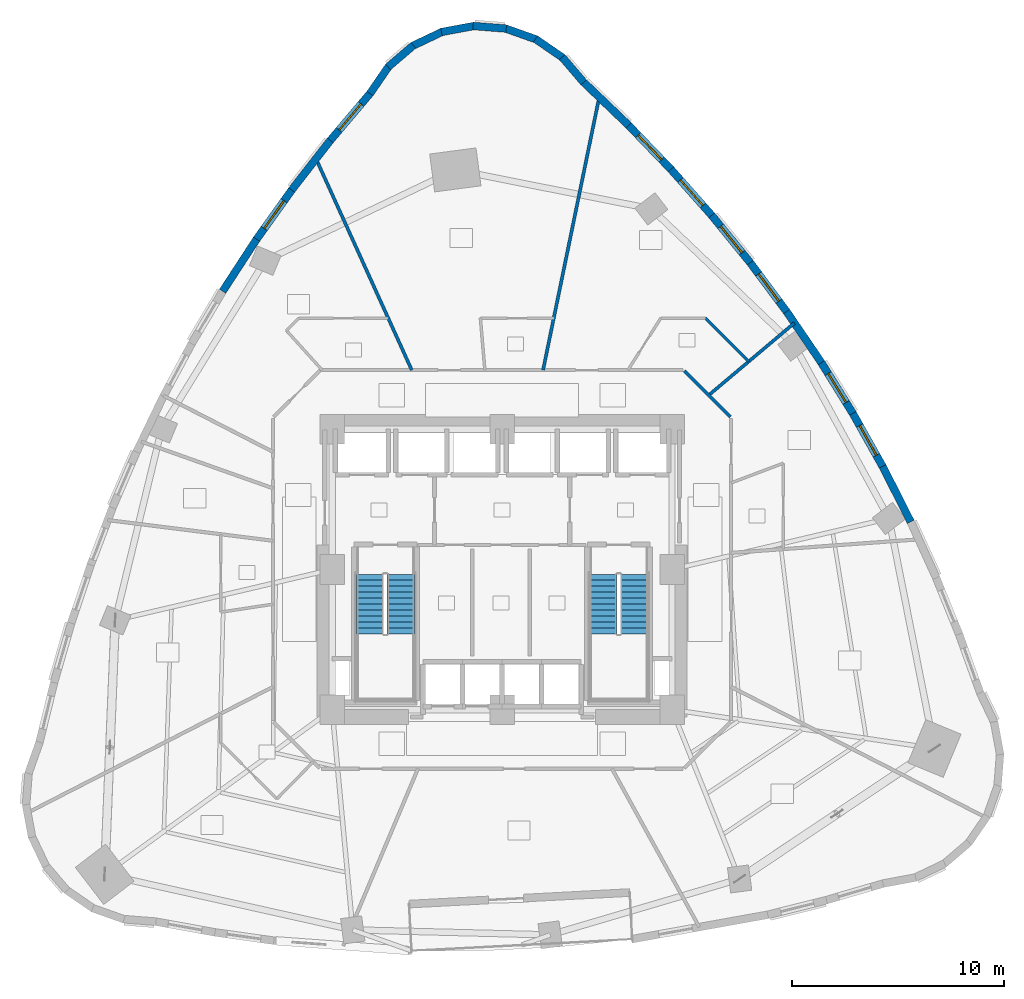
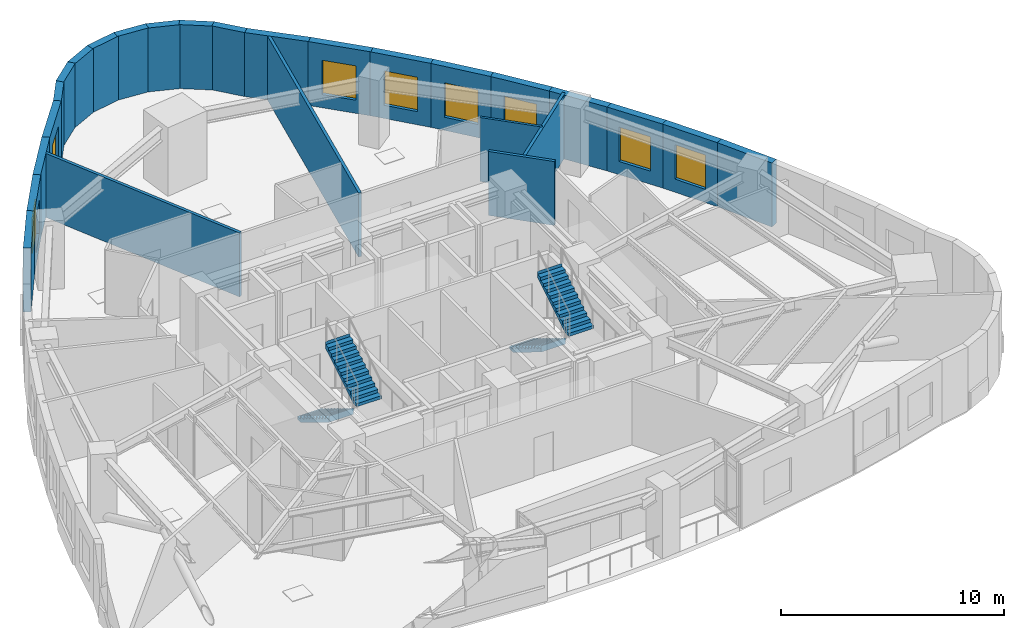
# One storey, part 8 of 11: 26 walls, 8 windows, 4 stair flights, 8 openings, 2 elements without a shape of their own.
"""IFC4 building model written with IfcOpenShell, lengths in metres."""

from ifc_helpers import new_model, si_unit, direction, frame, frame_2d, origin, place, context, subcontext, project, spatial, polyline, rectangle, outline, extrude, material, layer, layer_set, type_object, element, fill, aggregate, save


model = new_model("IFC4")

# Units and contexts
model_context = context("Model", 3, precision=1e-05, world=origin(), true_north=direction((0.0, 1.0)))
body_context = subcontext(model_context, "Body", "Model", "MODEL_VIEW")
ifc_project = project(units=[si_unit("LENGTHUNIT", "METRE"), si_unit("AREAUNIT", "SQUARE_METRE"), si_unit("VOLUMEUNIT", "CUBIC_METRE"), si_unit("PLANEANGLEUNIT", "RADIAN"), si_unit("MASSUNIT", "GRAM", prefix="KILO")], contexts=[model_context])

# Site, building, storey
site_placement = place(None, origin())
site = spatial("IfcSite", under=ifc_project, at=site_placement, CompositionType="ELEMENT")
building_placement = place(site_placement, origin())
building = spatial("IfcBuilding", under=site, at=building_placement, Name="Ndelora Gate Hotel", CompositionType="ELEMENT")
storey_placement = place(building_placement, frame((0.0, 0.0, 49.25)))
storey = spatial("IfcBuildingStorey", under=building, at=storey_placement, Name="L11", CompositionType="ELEMENT", Elevation=49.25)

# Walls
ifc_material_1 = material(Name="Clay Brick Masonry", Category="masonry")
ifc_layer_1 = layer(ifc_material_1, 0.360107421875)
ifc_layer_set_1 = layer_set([ifc_layer_1], Name="Clay Brick Masonry")
wall_type_1 = type_object("IfcWallType", Name="WL-BRICK-360", PredefinedType="SOLIDWALL", material=ifc_layer_set_1)
wall_1_placement = place(storey_placement, frame((2.828125, 24.10986328125, 0.0), z_axis=(0.0, 0.0, 1.0), x_axis=(0.649427555808, -0.76042346739, 0.0)))
element("IfcWall", 1, at=wall_1_placement, inside=storey, type_object=wall_type_1, Name="L11 Tower Brick Pier-and-Spandrel Wall TWR-1", PredefinedType="SOLIDWALL", context=body_context, shape_type="SweptSolid", body=[
    extrude(rectangle(XDim=1.56396484375, YDim=0.360107421875, at=frame_2d((0.781982421875, 0.0))), origin(), (0.0, 0.0, 1.0), 3.5),
])
wall_2_placement = place(storey_placement, frame((1.575927734375, 24.962646484375, 0.0), z_axis=(0.0, 0.0, 1.0), x_axis=(0.824114783412, -0.56642283125, 0.0)))
element("IfcWall", 2, at=wall_2_placement, inside=storey, type_object=wall_type_1, Name="L11 Tower Brick Pier-and-Spandrel Wall TWR-2", PredefinedType="SOLIDWALL", context=body_context, shape_type="SweptSolid", body=[
    extrude(rectangle(XDim=1.564208984375, YDim=0.360107421875, at=frame_2d((0.7822265625, 0.0))), origin(), (0.0, 0.0, 1.0), 3.5),
])
wall_3_placement = place(storey_placement, frame((0.1455078125, 25.46240234375, 0.0), z_axis=(0.0, 0.0, 1.0), x_axis=(0.94263541034, -0.333824030251, 0.0)))
element("IfcWall", 3, at=wall_3_placement, inside=storey, type_object=wall_type_1, Name="L11 Tower Brick Pier-and-Spandrel Wall TWR-3", PredefinedType="SOLIDWALL", context=body_context, shape_type="SweptSolid", body=[
    extrude(rectangle(XDim=1.564453125, YDim=0.360107421875, at=frame_2d((0.7822265625, 0.0))), origin(), (0.0, 0.0, 1.0), 3.5),
])
for number, where, z_axis, x_axis, name in (
    (4, (-1.364990234375, 25.57470703125, 0.0), (0.0, 0.0, 1.0), (0.996912314432, -0.078522845938, 0.0), "L11 Tower Brick Pier-and-Spandrel Wall TWR-4"),
    (5, (-2.853515625, 25.292236328125, 0.0), (0.0, 0.0, 1.0), (0.983239538779, 0.182318428527, 0.0), "L11 Tower Brick Pier-and-Spandrel Wall TWR-5"),
):
    element("IfcWall", number, at=place(storey_placement, frame(where, z_axis=z_axis, x_axis=x_axis)), inside=storey, type_object=wall_type_1, Name=name, PredefinedType="SOLIDWALL", context=body_context, shape_type="SweptSolid", body=[
        extrude(rectangle(XDim=1.56396484375, YDim=0.360107421875, at=frame_2d((0.781982421875, 0.0))), origin(), (0.0, 0.0, 1.0), 3.5),
    ])
wall_4_placement = place(storey_placement, frame((-4.21826171875, 24.63427734375, 0.0), z_axis=(0.0, 0.0, 1.0), x_axis=(0.902606480138, 0.430466656099, 0.0)))
element("IfcWall", 6, at=wall_4_placement, inside=storey, type_object=wall_type_1, Name="L11 Tower Brick Pier-and-Spandrel Wall TWR-6", PredefinedType="SOLIDWALL", context=body_context, shape_type="SweptSolid", body=[
    extrude(rectangle(XDim=1.564208984375, YDim=0.360107421875, at=frame_2d((0.7822265625, 0.0))), origin(), (0.0, 0.0, 1.0), 3.5),
])
wall_5_placement = place(storey_placement, frame((-5.365966796875, 23.6455078125, 0.0), z_axis=(0.0, 0.0, 1.0), x_axis=(0.760489297029, 0.649350467086, 0.0)))
element("IfcWall", 7, at=wall_5_placement, inside=storey, type_object=wall_type_1, Name="L11 Tower Brick Pier-and-Spandrel Wall TWR-7", PredefinedType="SOLIDWALL", context=body_context, shape_type="SweptSolid", body=[
    extrude(rectangle(XDim=1.56396484375, YDim=0.360107421875, at=frame_2d((0.781982421875, 0.0))), origin(), (0.0, 0.0, 1.0), 3.5),
])
wall_6_placement = place(storey_placement, frame((-6.21875, 22.393310546875, 0.0), z_axis=(0.0, 0.0, 1.0), x_axis=(0.56642283125, 0.824114783412, 0.0)))
element("IfcWall", 8, at=wall_6_placement, inside=storey, type_object=wall_type_1, Name="L11 Tower Brick Pier-and-Spandrel Wall TWR-8", PredefinedType="SOLIDWALL", context=body_context, shape_type="SweptSolid", body=[
    extrude(rectangle(XDim=1.564208984375, YDim=0.360107421875, at=frame_2d((0.7822265625, 0.0))), origin(), (0.0, 0.0, 1.0), 3.5),
])

# Wall, opening, window
wall_7_placement = place(storey_placement, frame((-8.117431640625, 20.152587890625, 0.0), z_axis=(0.0, 0.0, 1.0), x_axis=(0.645802996195, 0.763504086502, 0.0)))
wall_7 = element("IfcWall", 9, at=wall_7_placement, inside=storey, type_object=wall_type_1, Name="L11 Tower Brick Pier-and-Spandrel Wall TWR-9", PredefinedType="SOLIDWALL", context=body_context, shape_type="SweptSolid", body=[
    extrude(rectangle(XDim=2.98681640625, YDim=0.360107421875, at=frame_2d((1.493408203125, 0.0))), origin(), (0.0, 0.0, 1.0), 3.5),
])
opening_1_placement = place(wall_7_placement, frame((0.693603515625, 0.0, 0.719970703125)))
opening_1 = element("IfcOpeningElement", 10, at=opening_1_placement, cuts=wall_7, Name="Opening W03", PredefinedType="OPENING", context=body_context, shape_type="SweptSolid", body=[
    extrude(rectangle(XDim=1.60009765625, YDim=1.8798828125, at=frame_2d((0.800048828125, 0.93994140625))), frame((0.0, 0.18994140625, 0.0), z_axis=(0.0, -1.0, 0.0), x_axis=(1.0, 0.0, 0.0)), (0.0, 0.0, 1.0), 0.380126953125),
])
ifc_material_2 = material(Name="Insulated Low-E Double Glazing in Bronze Aluminium Frame", Category="aluminium")
window_type_1 = type_object("IfcWindowType", Name="WN-CORN-2100", PartitioningType="SINGLE_PANEL", PredefinedType="WINDOW", material=ifc_material_2)
window_1_placement = place(opening_1_placement, origin())
window_1 = element("IfcWindow", 11, at=window_1_placement, inside=storey, type_object=window_type_1, Name="L11 Deep-Set Brick-Pier Window W03", OverallHeight=1.8798828125, OverallWidth=1.60009765625, PartitioningType="SINGLE_PANEL", PredefinedType="WINDOW", context=body_context, shape_type="SweptSolid", body=[
    extrude(rectangle(XDim=1.60009765625, YDim=1.8798828125, at=frame_2d((0.800048828125, 0.93994140625))), frame((0.0, 0.030029296875, 0.0), z_axis=(0.0, -1.0, 0.0), x_axis=(1.0, 0.0, 0.0)), (0.0, 0.0, 1.0), 0.06005859375),
])
fill(opening_1, window_1)

# Wall
wall_8_placement = place(storey_placement, frame((-9.90478515625, 17.854248046875, 0.0), z_axis=(0.0, 0.0, 1.0), x_axis=(0.614163171733, 0.789179066174, 0.0)))
element("IfcWall", 12, at=wall_8_placement, inside=storey, type_object=wall_type_1, Name="L11 Tower Brick Pier-and-Spandrel Wall TWR-10", PredefinedType="SOLIDWALL", context=body_context, shape_type="SweptSolid", body=[
    extrude(rectangle(XDim=2.96142578125, YDim=0.360107421875, at=frame_2d((1.480712890625, 0.0))), origin(), (0.0, 0.0, 1.0), 3.5),
])

# Wall, opening, window
wall_9_placement = place(storey_placement, frame((-11.5830078125, 15.500244140625, 0.0), z_axis=(0.0, 0.0, 1.0), x_axis=(0.580782634392, 0.814058678222, 0.0)))
wall_9 = element("IfcWall", 13, at=wall_9_placement, inside=storey, type_object=wall_type_1, Name="L11 Tower Brick Pier-and-Spandrel Wall TWR-11", PredefinedType="SOLIDWALL", context=body_context, shape_type="SweptSolid", body=[
    extrude(rectangle(XDim=2.94091796875, YDim=0.360107421875, at=frame_2d((1.470458984375, 0.0))), origin(), (0.0, 0.0, 1.0), 3.5),
])
opening_2_placement = place(wall_9_placement, frame((0.67041015625, 0.0, 0.719970703125)))
opening_2 = element("IfcOpeningElement", 14, at=opening_2_placement, cuts=wall_9, Name="Opening W01", PredefinedType="OPENING", context=body_context, shape_type="SweptSolid", body=[
    extrude(rectangle(XDim=1.60009765625, YDim=1.8798828125, at=frame_2d((0.800048828125, 0.93994140625))), frame((0.0, 0.18994140625, 0.0), z_axis=(0.0, -1.0, 0.0), x_axis=(1.0, 0.0, 0.0)), (0.0, 0.0, 1.0), 0.380126953125),
])
window_type_2 = type_object("IfcWindowType", Name="WN-DEEP-1600", PartitioningType="SINGLE_PANEL", PredefinedType="WINDOW", material=ifc_material_2)
window_2_placement = place(opening_2_placement, origin())
window_2 = element("IfcWindow", 15, at=window_2_placement, inside=storey, type_object=window_type_2, Name="L11 Deep-Set Brick-Pier Window W01", OverallHeight=1.8798828125, OverallWidth=1.60009765625, PartitioningType="SINGLE_PANEL", PredefinedType="WINDOW", context=body_context, shape_type="SweptSolid", body=[
    extrude(rectangle(XDim=1.60009765625, YDim=1.8798828125, at=frame_2d((0.800048828125, 0.93994140625))), frame((0.0, 0.030029296875, 0.0), z_axis=(0.0, -1.0, 0.0), x_axis=(1.0, 0.0, 0.0)), (0.0, 0.0, 1.0), 0.06005859375),
])
fill(opening_2, window_2)

# Walls
wall_10_placement = place(storey_placement, frame((-13.152587890625, 13.091064453125, 0.0), z_axis=(0.0, 0.0, 1.0), x_axis=(0.546158304601, 0.837681983998, 0.0)))
element("IfcWall", 16, at=wall_10_placement, inside=storey, type_object=wall_type_1, Name="L11 Tower Brick Pier-and-Spandrel Wall TWR-12", PredefinedType="SOLIDWALL", context=body_context, shape_type="SweptSolid", body=[
    extrude(rectangle(XDim=2.92529296875, YDim=0.360107421875, at=frame_2d((1.462646484375, 0.0))), origin(), (0.0, 0.0, 1.0), 3.5),
])
wall_11_placement = place(storey_placement, frame((17.91357421875, 4.8447265625, 0.0), z_axis=(0.0, 0.0, 1.0), x_axis=(0.452380947907, -0.891824802285, 0.0)))
element("IfcWall", 17, at=wall_11_placement, inside=storey, type_object=wall_type_1, Name="L11 Tower Brick Pier-and-Spandrel Wall TWR-50", PredefinedType="SOLIDWALL", context=body_context, shape_type="SweptSolid", body=[
    extrude(rectangle(XDim=2.925048828125, YDim=0.360107421875, at=frame_2d((1.46240234375, 0.0))), origin(), (0.0, 0.0, 1.0), 3.5),
])

# Wall, opening, window
wall_12_placement = place(storey_placement, frame((16.50927734375, 7.341796875, 0.0), z_axis=(0.0, 0.0, 1.0), x_axis=(0.489847587765, -0.871808087116, 0.0)))
wall_12 = element("IfcWall", 18, at=wall_12_placement, inside=storey, type_object=wall_type_1, Name="L11 Tower Brick Pier-and-Spandrel Wall TWR-51", PredefinedType="SOLIDWALL", context=body_context, shape_type="SweptSolid", body=[
    extrude(rectangle(XDim=2.91455078125, YDim=0.360107421875, at=frame_2d((1.457275390625, 0.0))), origin(), (0.0, 0.0, 1.0), 3.5),
])
opening_3_placement = place(wall_12_placement, frame((0.657470703125, 0.0, 0.719970703125)))
opening_3 = element("IfcOpeningElement", 19, at=opening_3_placement, cuts=wall_12, Name="Opening W01", PredefinedType="OPENING", context=body_context, shape_type="SweptSolid", body=[
    extrude(rectangle(XDim=1.60009765625, YDim=1.8798828125, at=frame_2d((0.800048828125, 0.93994140625))), frame((0.0, 0.18994140625, 0.0), z_axis=(0.0, -1.0, 0.0), x_axis=(1.0, 0.0, 0.0)), (0.0, 0.0, 1.0), 0.380126953125),
])
window_3_placement = place(opening_3_placement, origin())
window_3 = element("IfcWindow", 20, at=window_3_placement, inside=storey, type_object=window_type_2, Name="L11 Deep-Set Brick-Pier Window W01", OverallHeight=1.8798828125, OverallWidth=1.60009765625, PartitioningType="SINGLE_PANEL", PredefinedType="WINDOW", context=body_context, shape_type="SweptSolid", body=[
    extrude(rectangle(XDim=1.60009765625, YDim=1.8798828125, at=frame_2d((0.800048828125, 0.93994140625))), frame((0.0, 0.030029296875, 0.0), z_axis=(0.0, -1.0, 0.0), x_axis=(1.0, 0.0, 0.0)), (0.0, 0.0, 1.0), 0.06005859375),
])
fill(opening_3, window_3)

wall_13_placement = place(storey_placement, frame((15.002197265625, 9.7724609375, 0.0), z_axis=(0.0, 0.0, 1.0), x_axis=(0.526646311391, -0.850084503269, 0.0)))
wall_13 = element("IfcWall", 21, at=wall_13_placement, inside=storey, type_object=wall_type_1, Name="L11 Tower Brick Pier-and-Spandrel Wall TWR-52", PredefinedType="SOLIDWALL", context=body_context, shape_type="SweptSolid", body=[
    extrude(rectangle(XDim=2.909912109375, YDim=0.360107421875, at=frame_2d((1.455078125, 0.0))), origin(), (0.0, 0.0, 1.0), 3.5),
])
opening_4_placement = place(wall_13_placement, frame((0.65478515625, 0.0, 0.719970703125)))
opening_4 = element("IfcOpeningElement", 22, at=opening_4_placement, cuts=wall_13, Name="Opening W01", PredefinedType="OPENING", context=body_context, shape_type="SweptSolid", body=[
    extrude(rectangle(XDim=1.60009765625, YDim=1.8798828125, at=frame_2d((0.800048828125, 0.93994140625))), frame((0.0, 0.18994140625, 0.0), z_axis=(0.0, -1.0, 0.0), x_axis=(1.0, 0.0, 0.0)), (0.0, 0.0, 1.0), 0.380126953125),
])
window_4_placement = place(opening_4_placement, origin())
window_4 = element("IfcWindow", 23, at=window_4_placement, inside=storey, type_object=window_type_2, Name="L11 Deep-Set Brick-Pier Window W01", OverallHeight=1.8798828125, OverallWidth=1.60009765625, PartitioningType="SINGLE_PANEL", PredefinedType="WINDOW", context=body_context, shape_type="SweptSolid", body=[
    extrude(rectangle(XDim=1.60009765625, YDim=1.8798828125, at=frame_2d((0.800048828125, 0.93994140625))), frame((0.0, 0.030029296875, 0.0), z_axis=(0.0, -1.0, 0.0), x_axis=(1.0, 0.0, 0.0)), (0.0, 0.0, 1.0), 0.06005859375),
])
fill(opening_4, window_4)

# Wall
wall_14_placement = place(storey_placement, frame((13.39306640625, 12.136474609375, 0.0), z_axis=(0.0, 0.0, 1.0), x_axis=(0.562401815537, -0.82686407461, 0.0)))
element("IfcWall", 24, at=wall_14_placement, inside=storey, type_object=wall_type_1, Name="L11 Tower Brick Pier-and-Spandrel Wall TWR-53", PredefinedType="SOLIDWALL", context=body_context, shape_type="SweptSolid", body=[
    extrude(rectangle(XDim=2.909912109375, YDim=0.360107421875, at=frame_2d((1.455078125, 0.0))), origin(), (0.0, 0.0, 1.0), 3.5),
])

# Wall, opening, window
wall_15_placement = place(storey_placement, frame((11.681396484375, 14.43359375, 0.0), z_axis=(0.0, 0.0, 1.0), x_axis=(0.597208824727, -0.802085793209, 0.0)))
wall_15 = element("IfcWall", 25, at=wall_15_placement, inside=storey, type_object=wall_type_1, Name="L11 Tower Brick Pier-and-Spandrel Wall TWR-54", PredefinedType="SOLIDWALL", context=body_context, shape_type="SweptSolid", body=[
    extrude(rectangle(XDim=2.914794921875, YDim=0.360107421875, at=frame_2d((1.45751953125, 0.0))), origin(), (0.0, 0.0, 1.0), 3.5),
])
opening_5_placement = place(wall_15_placement, frame((0.657470703125, 0.0, 0.719970703125)))
opening_5 = element("IfcOpeningElement", 26, at=opening_5_placement, cuts=wall_15, Name="Opening W01", PredefinedType="OPENING", context=body_context, shape_type="SweptSolid", body=[
    extrude(rectangle(XDim=1.60009765625, YDim=1.8798828125, at=frame_2d((0.800048828125, 0.93994140625))), frame((0.0, 0.18994140625, 0.0), z_axis=(0.0, -1.0, 0.0), x_axis=(1.0, 0.0, 0.0)), (0.0, 0.0, 1.0), 0.380126953125),
])
window_5_placement = place(opening_5_placement, origin())
window_5 = element("IfcWindow", 27, at=window_5_placement, inside=storey, type_object=window_type_2, Name="L11 Deep-Set Brick-Pier Window W01", OverallHeight=1.8798828125, OverallWidth=1.60009765625, PartitioningType="SINGLE_PANEL", PredefinedType="WINDOW", context=body_context, shape_type="SweptSolid", body=[
    extrude(rectangle(XDim=1.60009765625, YDim=1.8798828125, at=frame_2d((0.800048828125, 0.93994140625))), frame((0.0, 0.030029296875, 0.0), z_axis=(0.0, -1.0, 0.0), x_axis=(1.0, 0.0, 0.0)), (0.0, 0.0, 1.0), 0.06005859375),
])
fill(opening_5, window_5)

wall_16_placement = place(storey_placement, frame((9.866943359375, 16.664306640625, 0.0), z_axis=(0.0, 0.0, 1.0), x_axis=(0.630712015434, -0.776016980218, 0.0)))
wall_16 = element("IfcWall", 28, at=wall_16_placement, inside=storey, type_object=wall_type_1, Name="L11 Tower Brick Pier-and-Spandrel Wall TWR-55", PredefinedType="SOLIDWALL", context=body_context, shape_type="SweptSolid", body=[
    extrude(rectangle(XDim=2.92529296875, YDim=0.360107421875, at=frame_2d((1.462646484375, 0.0))), origin(), (0.0, 0.0, 1.0), 3.5),
])
opening_6_placement = place(wall_16_placement, frame((0.66259765625, 0.0, 0.719970703125)))
opening_6 = element("IfcOpeningElement", 29, at=opening_6_placement, cuts=wall_16, Name="Opening W01", PredefinedType="OPENING", context=body_context, shape_type="SweptSolid", body=[
    extrude(rectangle(XDim=1.60009765625, YDim=1.8798828125, at=frame_2d((0.800048828125, 0.93994140625))), frame((0.0, 0.18994140625, 0.0), z_axis=(0.0, -1.0, 0.0), x_axis=(1.0, 0.0, 0.0)), (0.0, 0.0, 1.0), 0.380126953125),
])
window_6_placement = place(opening_6_placement, origin())
window_6 = element("IfcWindow", 30, at=window_6_placement, inside=storey, type_object=window_type_2, Name="L11 Deep-Set Brick-Pier Window W01", OverallHeight=1.8798828125, OverallWidth=1.60009765625, PartitioningType="SINGLE_PANEL", PredefinedType="WINDOW", context=body_context, shape_type="SweptSolid", body=[
    extrude(rectangle(XDim=1.60009765625, YDim=1.8798828125, at=frame_2d((0.800048828125, 0.93994140625))), frame((0.0, 0.030029296875, 0.0), z_axis=(0.0, -1.0, 0.0), x_axis=(1.0, 0.0, 0.0)), (0.0, 0.0, 1.0), 0.06005859375),
])
fill(opening_6, window_6)

wall_17_placement = place(storey_placement, frame((7.9501953125, 18.828369140625, 0.0), z_axis=(0.0, 0.0, 1.0), x_axis=(0.662795962661, -0.748800047997, 0.0)))
wall_17 = element("IfcWall", 31, at=wall_17_placement, inside=storey, type_object=wall_type_1, Name="L11 Tower Brick Pier-and-Spandrel Wall TWR-56", PredefinedType="SOLIDWALL", context=body_context, shape_type="SweptSolid", body=[
    extrude(rectangle(XDim=2.94091796875, YDim=0.360107421875, at=frame_2d((1.470458984375, 0.0))), origin(), (0.0, 0.0, 1.0), 3.5),
])
opening_7_placement = place(wall_17_placement, frame((0.67041015625, 0.0, 0.719970703125)))
opening_7 = element("IfcOpeningElement", 32, at=opening_7_placement, cuts=wall_17, Name="Opening W01", PredefinedType="OPENING", context=body_context, shape_type="SweptSolid", body=[
    extrude(rectangle(XDim=1.60009765625, YDim=1.8798828125, at=frame_2d((0.800048828125, 0.93994140625))), frame((0.0, 0.18994140625, 0.0), z_axis=(0.0, -1.0, 0.0), x_axis=(1.0, 0.0, 0.0)), (0.0, 0.0, 1.0), 0.380126953125),
])
window_7_placement = place(opening_7_placement, origin())
window_7 = element("IfcWindow", 33, at=window_7_placement, inside=storey, type_object=window_type_2, Name="L11 Deep-Set Brick-Pier Window W01", OverallHeight=1.8798828125, OverallWidth=1.60009765625, PartitioningType="SINGLE_PANEL", PredefinedType="WINDOW", context=body_context, shape_type="SweptSolid", body=[
    extrude(rectangle(XDim=1.60009765625, YDim=1.8798828125, at=frame_2d((0.800048828125, 0.93994140625))), frame((0.0, 0.030029296875, 0.0), z_axis=(0.0, -1.0, 0.0), x_axis=(1.0, 0.0, 0.0)), (0.0, 0.0, 1.0), 0.06005859375),
])
fill(opening_7, window_7)

wall_18_placement = place(storey_placement, frame((5.93115234375, 20.926025390625, 0.0), z_axis=(0.0, 0.0, 1.0), x_axis=(0.693247098046, -0.720699979916, 0.0)))
wall_18 = element("IfcWall", 34, at=wall_18_placement, inside=storey, type_object=wall_type_1, Name="L11 Tower Brick Pier-and-Spandrel Wall TWR-57", PredefinedType="SOLIDWALL", context=body_context, shape_type="SweptSolid", body=[
    extrude(rectangle(XDim=2.96142578125, YDim=0.360107421875, at=frame_2d((1.480712890625, 0.0))), origin(), (0.0, 0.0, 1.0), 3.5),
])
opening_8_placement = place(wall_18_placement, frame((0.6806640625, 0.0, 0.719970703125)))
opening_8 = element("IfcOpeningElement", 35, at=opening_8_placement, cuts=wall_18, Name="Opening W03", PredefinedType="OPENING", context=body_context, shape_type="SweptSolid", body=[
    extrude(rectangle(XDim=1.60009765625, YDim=1.8798828125, at=frame_2d((0.800048828125, 0.93994140625))), frame((0.0, 0.18994140625, 0.0), z_axis=(0.0, -1.0, 0.0), x_axis=(1.0, 0.0, 0.0)), (0.0, 0.0, 1.0), 0.380126953125),
])
window_8_placement = place(opening_8_placement, origin())
window_8 = element("IfcWindow", 36, at=window_8_placement, inside=storey, type_object=window_type_1, Name="L11 Deep-Set Brick-Pier Window W03", OverallHeight=1.8798828125, OverallWidth=1.60009765625, PartitioningType="SINGLE_PANEL", PredefinedType="WINDOW", context=body_context, shape_type="SweptSolid", body=[
    extrude(rectangle(XDim=1.60009765625, YDim=1.8798828125, at=frame_2d((0.800048828125, 0.93994140625))), frame((0.0, 0.030029296875, 0.0), z_axis=(0.0, -1.0, 0.0), x_axis=(1.0, 0.0, 0.0)), (0.0, 0.0, 1.0), 0.06005859375),
])
fill(opening_8, window_8)

# Walls
wall_19_placement = place(storey_placement, frame((3.8095703125, 22.956787109375, 0.0), z_axis=(0.0, 0.0, 1.0), x_axis=(0.722146408361, -0.691740243799, 0.0)))
element("IfcWall", 37, at=wall_19_placement, inside=storey, type_object=wall_type_1, Name="L11 Tower Brick Pier-and-Spandrel Wall TWR-58", PredefinedType="SOLIDWALL", context=body_context, shape_type="SweptSolid", body=[
    extrude(rectangle(XDim=2.98681640625, YDim=0.360107421875, at=frame_2d((1.493408203125, 0.0))), origin(), (0.0, 0.0, 1.0), 3.5),
])
ifc_material_3 = material(Name="Fire-Rated Gypsum Stud Partition", Category="gypsum")
ifc_layer_2 = layer(ifc_material_3, 0.14990234375)
ifc_layer_set_2 = layer_set([ifc_layer_2], Name="Fire-Rated Gypsum Stud Partition")
wall_type_2 = type_object("IfcWallType", Name="WL-PART-150", PredefinedType="PARTITIONING", material=ifc_layer_set_2)
wall_20_placement = place(storey_placement, frame((8.578369140625, 9.351806640625, 0.0), z_axis=(0.0, 0.0, 1.0), x_axis=(0.707067066127, -0.707146494016, 0.0)))
element("IfcWall", 38, at=wall_20_placement, inside=storey, type_object=wall_type_2, Name="L11 Interior Wall IW-5", PredefinedType="PARTITIONING", context=body_context, shape_type="SweptSolid", body=[
    extrude(rectangle(XDim=3.07373046875, YDim=0.14990234375, at=frame_2d((1.536865234375, 0.0))), origin(), (0.0, 0.0, 1.0), 3.5),
])
wall_21_placement = place(storey_placement, frame((9.7294921875, 8.200439453125, 0.0), z_axis=(0.0, 0.0, 1.0), x_axis=(0.764648079626, 0.644448069532, 0.0)))
element("IfcWall", 39, at=wall_21_placement, inside=storey, type_object=wall_type_2, Name="L11 Interior Wall IW-5", PredefinedType="PARTITIONING", context=body_context, shape_type="SweptSolid", body=[
    extrude(rectangle(XDim=5.270751953125, YDim=0.14990234375, at=frame_2d((2.63525390625, 0.0))), origin(), (0.0, 0.0, 1.0), 3.5),
])
wall_22_placement = place(storey_placement, frame((1.9296875, 9.3798828125, 0.0), z_axis=(0.0, 0.0, 1.0), x_axis=(0.201507952768, 0.979486878407, 0.0)))
element("IfcWall", 40, at=wall_22_placement, inside=storey, type_object=wall_type_2, Name="L11 Interior Wall IW-5", PredefinedType="PARTITIONING", context=body_context, shape_type="SweptSolid", body=[
    extrude(rectangle(XDim=13.115234375, YDim=0.14990234375, at=frame_2d((6.5576171875, 0.0))), origin(), (0.0, 0.0, 1.0), 3.5),
])
wall_23_placement = place(storey_placement, frame((-4.25, 9.3798828125, 0.0), z_axis=(0.0, 0.0, 1.0), x_axis=(-0.412704587387, 0.910864931562, 0.0)))
element("IfcWall", 41, at=wall_23_placement, inside=storey, type_object=wall_type_2, Name="L11 Interior Wall IW-5", PredefinedType="PARTITIONING", context=body_context, shape_type="SweptSolid", body=[
    extrude(rectangle(XDim=10.922119140625, YDim=0.14990234375, at=frame_2d((5.4609375, 0.0))), origin(), (0.0, 0.0, 1.0), 3.5),
])
ifc_material_4 = material(Name="Moisture-Resistant Bathroom Tile Partition", Category="gypsum")
ifc_layer_3 = layer(ifc_material_4, 0.1201171875)
ifc_layer_set_3 = layer_set([ifc_layer_3], Name="Moisture-Resistant Bathroom Tile Partition")
wall_type_3 = type_object("IfcWallType", Name="WL-WET-120", PredefinedType="PARTITIONING", material=ifc_layer_set_3)
wall_24_placement = place(storey_placement, frame((11.60986328125, 9.784912109375, 0.0), z_axis=(0.0, 0.0, 1.0), x_axis=(-0.707106781187, 0.707106781187, 0.0)))
element("IfcWall", 42, at=wall_24_placement, inside=storey, type_object=wall_type_3, Name="L11 Interior Wall IW-7", PredefinedType="PARTITIONING", context=body_context, shape_type="SweptSolid", body=[
    extrude(rectangle(XDim=2.892333984375, YDim=0.1201171875, at=frame_2d((1.4462890625, 0.0))), origin(), (0.0, 0.0, 1.0), 3.5),
])

# Stair, stair flights
ifc_material_5 = material(Name="Precast concrete C40/50", Category="concrete")
stair_type = type_object("IfcStairType", Name="STR-DOG-CORE", PredefinedType="HALF_TURN_STAIR", material=ifc_material_5)
stair_1_placement = place(storey_placement, origin())
stair_1 = element("IfcStair", 43, at=stair_1_placement, inside=storey, type_object=stair_type, Name="L11 Protected Core Exit Stair ST4", PredefinedType="HALF_TURN_STAIR")
stair_flight_type = type_object("IfcStairFlightType", Name="STF-PRECAST", PredefinedType="STRAIGHT", material=ifc_material_5)
stair_flight_1_placement = place(storey_placement, frame((-6.2099609375, -0.22998046875, 0.0), z_axis=(0.0, 0.0, 1.0), x_axis=(0.0, -1.0, 0.0)))
stair_flight_1 = element("IfcStairFlight", 44, at=stair_flight_1_placement, type_object=stair_flight_type, Name="ST4 flight 1", NumberOfRisers=11, NumberOfTreads=10, PredefinedType="STRAIGHT", RiserHeight=0.170454545, TreadLength=0.28, context=body_context, shape_type="SweptSolid", body=[
    extrude(outline(polyline([(-0.00048828125, 0.0), (-0.00048828125, 0.17041015625), (0.0, 0.17041015625), (0.280029296875, 0.17041015625), (0.280029296875, 0.3408203125), (0.56005859375, 0.3408203125), (0.56005859375, 0.511474609375), (0.840087890625, 0.511474609375), (0.840087890625, 0.681884765625), (1.1201171875, 0.681884765625), (1.1201171875, 0.852294921875), (1.39990234375, 0.852294921875), (1.39990234375, 1.022705078125), (1.679931640625, 1.022705078125), (1.679931640625, 1.193115234375), (1.9599609375, 1.193115234375), (1.9599609375, 1.363525390625), (2.239990234375, 1.363525390625), (2.239990234375, 1.5341796875), (2.52001953125, 1.5341796875), (2.52001953125, 1.70458984375), (2.800048828125, 1.70458984375), (2.800048828125, 1.875), (2.800537109375, 1.875), (2.800537109375, 1.695068359375), (2.800048828125, 1.529052734375), (0.288330078125, 0.0), (-0.00048828125, 0.0)])), frame((0.0, 0.64013671875, 0.0), z_axis=(0.0, -1.0, 0.0), x_axis=(1.0, 0.0, 0.0)), (0.0, 0.0, 1.0), 1.280029296875),
])
stair_flight_2_placement = place(storey_placement, frame((-4.77001953125, -3.030029296875, 1.875), z_axis=(0.0, 0.0, 1.0), x_axis=(0.0, 1.0, 0.0)))
stair_flight_2 = element("IfcStairFlight", 45, at=stair_flight_2_placement, type_object=stair_flight_type, Name="ST4 flight 2", NumberOfRisers=11, NumberOfTreads=10, PredefinedType="STRAIGHT", RiserHeight=0.170454545, TreadLength=0.28, context=body_context, shape_type="SweptSolid", body=[
    extrude(outline(polyline([(-0.00048828125, 0.0), (-0.00048828125, 0.17041015625), (0.0, 0.17041015625), (0.280029296875, 0.17041015625), (0.280029296875, 0.3408203125), (0.56005859375, 0.3408203125), (0.56005859375, 0.511474609375), (0.840087890625, 0.511474609375), (0.840087890625, 0.681884765625), (1.1201171875, 0.681884765625), (1.1201171875, 0.852294921875), (1.39990234375, 0.852294921875), (1.39990234375, 1.022705078125), (1.679931640625, 1.022705078125), (1.679931640625, 1.193115234375), (1.9599609375, 1.193115234375), (1.9599609375, 1.363525390625), (2.239990234375, 1.363525390625), (2.239990234375, 1.5341796875), (2.52001953125, 1.5341796875), (2.52001953125, 1.70458984375), (2.800048828125, 1.70458984375), (2.800048828125, 1.875), (2.800537109375, 1.875), (2.800537109375, 1.695068359375), (2.800048828125, 1.529052734375), (0.288330078125, 0.0), (-0.00048828125, 0.0)])), frame((0.0, 0.64013671875, 0.0), z_axis=(0.0, -1.0, 0.0), x_axis=(1.0, 0.0, 0.0)), (0.0, 0.0, 1.0), 1.280029296875),
])
aggregate(stair_1, [stair_flight_1, stair_flight_2])

stair_2_placement = place(storey_placement, origin())
stair_2 = element("IfcStair", 46, at=stair_2_placement, inside=storey, type_object=stair_type, Name="L11 Protected Core Exit Stair ST5", PredefinedType="HALF_TURN_STAIR")
stair_flight_3_placement = place(storey_placement, frame((4.77001953125, -0.22998046875, 0.0), z_axis=(0.0, 0.0, 1.0), x_axis=(0.0, -1.0, 0.0)))
stair_flight_3 = element("IfcStairFlight", 47, at=stair_flight_3_placement, type_object=stair_flight_type, Name="ST5 flight 1", NumberOfRisers=11, NumberOfTreads=10, PredefinedType="STRAIGHT", RiserHeight=0.170454545, TreadLength=0.28, context=body_context, shape_type="SweptSolid", body=[
    extrude(outline(polyline([(-0.00048828125, 0.0), (-0.00048828125, 0.17041015625), (0.0, 0.17041015625), (0.280029296875, 0.17041015625), (0.280029296875, 0.3408203125), (0.56005859375, 0.3408203125), (0.56005859375, 0.511474609375), (0.840087890625, 0.511474609375), (0.840087890625, 0.681884765625), (1.1201171875, 0.681884765625), (1.1201171875, 0.852294921875), (1.39990234375, 0.852294921875), (1.39990234375, 1.022705078125), (1.679931640625, 1.022705078125), (1.679931640625, 1.193115234375), (1.9599609375, 1.193115234375), (1.9599609375, 1.363525390625), (2.239990234375, 1.363525390625), (2.239990234375, 1.5341796875), (2.52001953125, 1.5341796875), (2.52001953125, 1.70458984375), (2.800048828125, 1.70458984375), (2.800048828125, 1.875), (2.800537109375, 1.875), (2.800537109375, 1.695068359375), (2.800048828125, 1.529052734375), (0.288330078125, 0.0), (-0.00048828125, 0.0)])), frame((0.0, 0.64013671875, 0.0), z_axis=(0.0, -1.0, 0.0), x_axis=(1.0, 0.0, 0.0)), (0.0, 0.0, 1.0), 1.280029296875),
])
stair_flight_4_placement = place(storey_placement, frame((6.2099609375, -3.030029296875, 1.875), z_axis=(0.0, 0.0, 1.0), x_axis=(0.0, 1.0, 0.0)))
stair_flight_4 = element("IfcStairFlight", 48, at=stair_flight_4_placement, type_object=stair_flight_type, Name="ST5 flight 2", NumberOfRisers=11, NumberOfTreads=10, PredefinedType="STRAIGHT", RiserHeight=0.170454545, TreadLength=0.28, context=body_context, shape_type="SweptSolid", body=[
    extrude(outline(polyline([(-0.00048828125, 0.0), (-0.00048828125, 0.17041015625), (0.0, 0.17041015625), (0.280029296875, 0.17041015625), (0.280029296875, 0.3408203125), (0.56005859375, 0.3408203125), (0.56005859375, 0.511474609375), (0.840087890625, 0.511474609375), (0.840087890625, 0.681884765625), (1.1201171875, 0.681884765625), (1.1201171875, 0.852294921875), (1.39990234375, 0.852294921875), (1.39990234375, 1.022705078125), (1.679931640625, 1.022705078125), (1.679931640625, 1.193115234375), (1.9599609375, 1.193115234375), (1.9599609375, 1.363525390625), (2.239990234375, 1.363525390625), (2.239990234375, 1.5341796875), (2.52001953125, 1.5341796875), (2.52001953125, 1.70458984375), (2.800048828125, 1.70458984375), (2.800048828125, 1.875), (2.800537109375, 1.875), (2.800537109375, 1.695068359375), (2.800048828125, 1.529052734375), (0.288330078125, 0.0), (-0.00048828125, 0.0)])), frame((0.0, 0.64013671875, 0.0), z_axis=(0.0, -1.0, 0.0), x_axis=(1.0, 0.0, 0.0)), (0.0, 0.0, 1.0), 1.280029296875),
])
aggregate(stair_2, [stair_flight_3, stair_flight_4])

save(model, "model.ifc")
